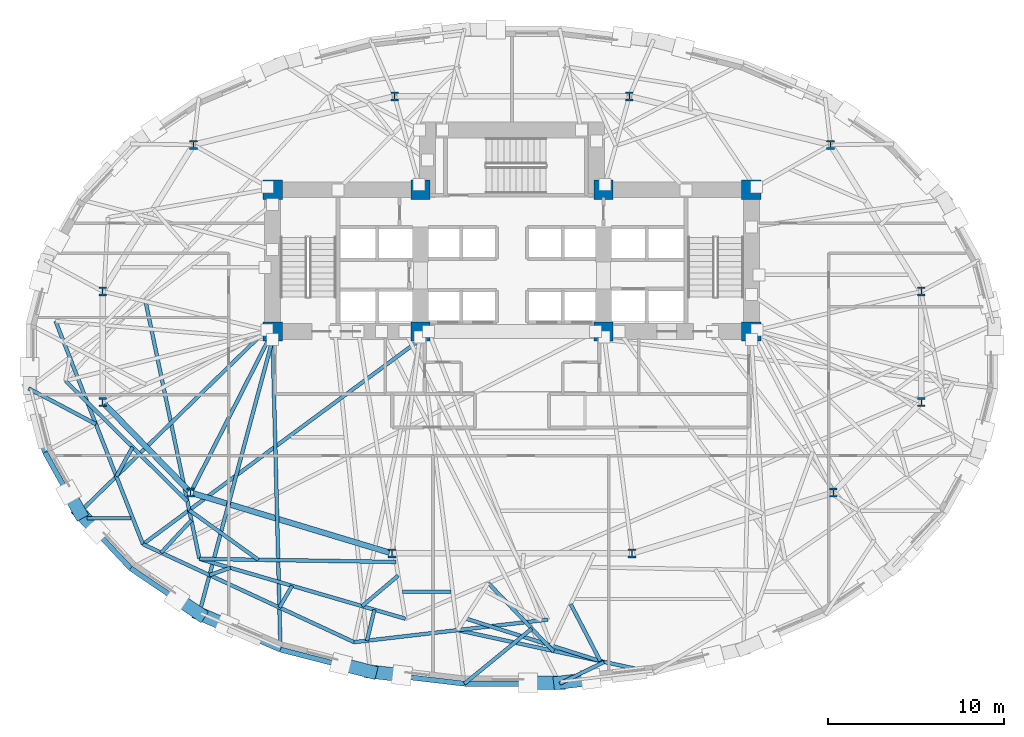
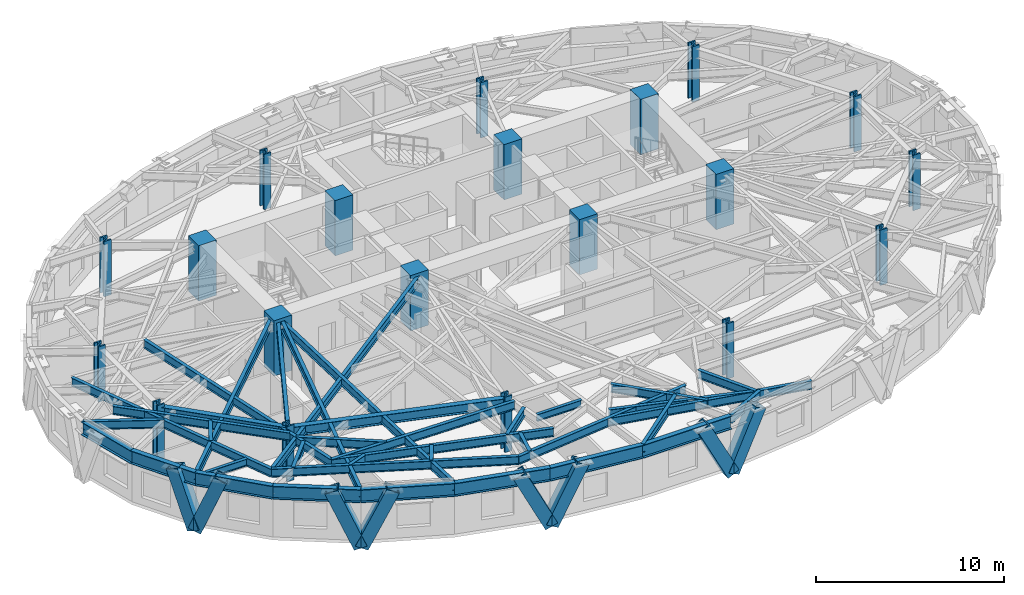
# One storey, part 1 of 14: 38 beams, 20 columns, 8 members.
"""IFC4 building model written with IfcOpenShell, lengths in metres."""

from ifc_helpers import new_model, si_unit, direction, frame, origin, origin_2d, place, context, subcontext, project, spatial, rectangle, hollow_rectangle, i_section, extrude, material, material_profile, profile_set, type_object, element, save


model = new_model("IFC4")

# Units and contexts
model_context = context("Model", 3, precision=1e-05, world=origin(), true_north=direction((0.0, 1.0)))
body_context = subcontext(model_context, "Body", "Model", "MODEL_VIEW")
ifc_project = project(units=[si_unit("LENGTHUNIT", "METRE"), si_unit("AREAUNIT", "SQUARE_METRE"), si_unit("VOLUMEUNIT", "CUBIC_METRE"), si_unit("PLANEANGLEUNIT", "RADIAN"), si_unit("MASSUNIT", "GRAM", prefix="KILO")], contexts=[model_context])

# Site, building, storey
site_placement = place(None, origin())
site = spatial("IfcSite", under=ifc_project, at=site_placement, CompositionType="ELEMENT")
building_placement = place(site_placement, origin())
building = spatial("IfcBuilding", under=site, at=building_placement, Name="Keldmark Tower", CompositionType="ELEMENT")
storey_placement = place(building_placement, frame((0.0, 0.0, 48.60009765625)))
storey = spatial("IfcBuildingStorey", under=building, at=storey_placement, Name="L12", CompositionType="ELEMENT", Elevation=48.60009765625)

# Columns
ifc_material_1 = material(Name="Concrete C70/85", Category="concrete")
ifc_material_profile_1 = material_profile(ifc_material_1, rectangle(XDim=1.10009765625, YDim=1.10009765625, at=origin_2d()), Name="RC1100X1100")
ifc_profile_set_1 = profile_set([ifc_material_profile_1], Name="Concrete C70/85")
column_type_1 = type_object("IfcColumnType", Name="Core Boundary Column RC1100", PredefinedType="COLUMN", material=ifc_profile_set_1)
for number, where, z_axis, x_axis, name in (
    (1, (-13.60009765625, 1.39990234375, 0.0), (0.0, 0.0, 1.0), (1.0, 0.0, 0.0), "L12 Core Boundary Column CC-W1"),
    (2, (-13.60009765625, 9.449951171875, 0.0), (0.0, 0.0, 1.0), (1.0, 0.0, 0.0), "L12 Core Boundary Column CC-W2"),
    (3, (-5.199951171875, 1.39990234375, 0.0), (0.0, 0.0, 1.0), (1.0, 0.0, 0.0), "L12 Core Boundary Column CC-W3"),
    (4, (-5.199951171875, 9.449951171875, 0.0), (0.0, 0.0, 1.0), (1.0, 0.0, 0.0), "L12 Core Boundary Column CC-W4"),
    (5, (5.199951171875, 1.39990234375, 0.0), (0.0, 0.0, 1.0), (1.0, 0.0, 0.0), "L12 Core Boundary Column CC-E1"),
    (6, (5.199951171875, 9.449951171875, 0.0), (0.0, 0.0, 1.0), (1.0, 0.0, 0.0), "L12 Core Boundary Column CC-E2"),
    (7, (13.60009765625, 1.39990234375, 0.0), (0.0, 0.0, 1.0), (1.0, 0.0, 0.0), "L12 Core Boundary Column CC-E3"),
    (8, (13.60009765625, 9.449951171875, 0.0), (0.0, 0.0, 1.0), (1.0, 0.0, 0.0), "L12 Core Boundary Column CC-E4"),
):
    element("IfcColumn", number, at=place(storey_placement, frame(where, z_axis=z_axis, x_axis=x_axis)), inside=storey, type_object=column_type_1, Name=name, PredefinedType="COLUMN", context=body_context, shape_type="SweptSolid", body=[
        extrude(rectangle(XDim=1.10009765625, YDim=1.10009765625, at=origin_2d()), origin(), (0.0, 0.0, 1.0), 3.599853515625),
    ])
ifc_material_2 = material(Name="Steel ASTM A992 Grade 50", Category="steel")
ifc_material_profile_2 = material_profile(ifc_material_2, i_section(OverallWidth=0.43701171875, OverallDepth=0.513916015625, WebThickness=0.060546875, FlangeThickness=0.096923828125, at=origin_2d()), Name="W14X550")
ifc_profile_set_2 = profile_set([ifc_material_profile_2], Name="Steel ASTM A992 Grade 50")
column_type_2 = type_object("IfcColumnType", Name="Tower Gravity Column W14X550", PredefinedType="COLUMN", material=ifc_profile_set_2)
for number, where, z_axis, x_axis, name in (
    (9, (23.25390625, 3.67724609375, 0.0), (0.0, 0.0, 1.0), (1.0, 0.0, 0.0), "L12 Tower Gravity Column TC-E1"),
    (10, (18.09765625, 12.00732421875, 0.0), (0.0, 0.0, 1.0), (1.0, 0.0, 0.0), "L12 Tower Gravity Column TC-E4"),
    (11, (6.6650390625, 14.760009765625, 0.0), (0.0, 0.0, 1.0), (1.0, 0.0, 0.0), "L12 Tower Gravity Column TC-N2"),
    (12, (-6.6650390625, 14.760009765625, 0.0), (0.0, 0.0, 1.0), (1.0, 0.0, 0.0), "L12 Tower Gravity Column TC-N1"),
    (13, (-18.09765625, 12.00732421875, 0.0), (0.0, 0.0, 1.0), (1.0, 0.0, 0.0), "L12 Tower Gravity Column TC-W4"),
    (14, (-23.25390625, 3.67724609375, 0.0), (0.0, 0.0, 1.0), (1.0, 0.0, 0.0), "L12 Tower Gravity Column TC-W1"),
    (15, (-23.25390625, -2.61328125, 0.0), (0.0, 0.0, 1.0), (1.0, 0.0, 0.0), "L12 Tower Gravity Column TC-W5"),
    (16, (-18.252685546875, -7.755615234375, 0.0), (0.0, 0.0, 1.0), (1.0, 0.0, 0.0), "L12 Tower Gravity Column TC-W2"),
    (17, (-6.822021484375, -11.205810546875, 0.0), (0.0, 0.0, 1.0), (1.0, 0.0, 0.0), "L12 Tower Gravity Column TC-W3"),
    (18, (6.822021484375, -11.205810546875, 0.0), (0.0, 0.0, 1.0), (1.0, 0.0, 0.0), "L12 Tower Gravity Column TC-E3"),
    (19, (18.252685546875, -7.755615234375, 0.0), (0.0, 0.0, 1.0), (1.0, 0.0, 0.0), "L12 Tower Gravity Column TC-E2"),
    (20, (23.25390625, -2.61328125, 0.0), (0.0, 0.0, 1.0), (1.0, 0.0, 0.0), "L12 Tower Gravity Column TC-E5"),
):
    element("IfcColumn", number, at=place(storey_placement, frame(where, z_axis=z_axis, x_axis=x_axis)), inside=storey, type_object=column_type_2, Name=name, PredefinedType="COLUMN", context=body_context, shape_type="SweptSolid", body=[
        extrude(i_section(OverallWidth=0.43701171875, OverallDepth=0.513916015625, WebThickness=0.060546875, FlangeThickness=0.096923828125, at=origin_2d()), origin(), (0.0, 0.0, 1.0), 3.599853515625),
    ])

# Beams
ifc_material_3 = material(Name="Steel ASTM A992 Grade 50", Category="steel")
ifc_material_profile_3 = material_profile(ifc_material_3, i_section(OverallWidth=0.19091796875, OverallDepth=0.45703125, WebThickness=0.009033203125, FlangeThickness=0.014404296875, at=origin_2d()), Name="W18X50")
ifc_profile_set_3 = profile_set([ifc_material_profile_3], Name="Steel ASTM A992 Grade 50")
beam_type_1 = type_object("IfcBeamType", Name="Composite Floor Joist W18X50", PredefinedType="JOIST", material=ifc_profile_set_3)
beam_1_placement = place(storey_placement, frame((-6.2177734375, -13.3798828125, 3.17138671875), z_axis=(1.0, 0.0, 0.0), x_axis=(0.0, 1.0, 0.0)))
element("IfcBeam", 21, at=beam_1_placement, inside=storey, type_object=beam_type_1, Name="L12 Composite Floor Joist J01", PredefinedType="JOIST", context=body_context, shape_type="SweptSolid", body=[
    extrude(i_section(OverallWidth=0.19091796875, OverallDepth=0.45703125, WebThickness=0.009033203125, FlangeThickness=0.014404296875, at=origin_2d()), origin(), (0.0, 0.0, 1.0), 2.74853515625),
])
beam_2_placement = place(storey_placement, frame((-24.150390625, -9.199951171875, 3.17138671875), z_axis=(1.0, 0.0, 0.0), x_axis=(0.0, 1.0, 0.0)))
element("IfcBeam", 22, at=beam_2_placement, inside=storey, type_object=beam_type_1, Name="L12 Composite Floor Joist J04", PredefinedType="JOIST", context=body_context, shape_type="SweptSolid", body=[
    extrude(i_section(OverallWidth=0.19091796875, OverallDepth=0.45703125, WebThickness=0.009033203125, FlangeThickness=0.014404296875, at=origin_2d()), origin(), (0.0, 0.0, 1.0), 2.499755859375),
])

# Members
ifc_material_4 = material(Name="Steel ASTM A572 Grade 50", Category="steel")
ifc_material_profile_4 = material_profile(ifc_material_4, hollow_rectangle(XDim=0.75, YDim=0.75, WallThickness=0.06494140625, at=origin_2d()), Name="BOX750X750X65")
ifc_profile_set_4 = profile_set([ifc_material_profile_4], Name="Steel ASTM A572 Grade 50")
member_type = type_object("IfcMemberType", Name="Diagrid Lower Brace BOX750X750X65", PredefinedType="BRACE", material=ifc_profile_set_4)
member_1_placement = place(storey_placement, frame((-24.551025390625, -8.8955078125, -0.280029296875), z_axis=(-0.169441419499, 0.303579863929, 0.937618723989), x_axis=(-0.873195871477, -0.487369438963, 0.0)))
element("IfcMember", 23, at=member_1_placement, inside=storey, type_object=member_type, Name="L12 Perimeter Diagrid Brace 09B", PredefinedType="BRACE", context=body_context, shape_type="SweptSolid", body=[
    extrude(hollow_rectangle(XDim=0.75, YDim=0.75, WallThickness=0.06494140625, at=origin_2d()), origin(), (0.0, 0.0, 1.0), 3.796630859375),
])
member_2_placement = place(storey_placement, frame((-24.555419921875, -8.884521484375, -0.280029296875), z_axis=(0.254998160152, -0.272748780582, 0.927676689914), x_axis=(0.730477044088, 0.682937250456, 0.0)))
element("IfcMember", 24, at=member_2_placement, inside=storey, type_object=member_type, Name="L12 Perimeter Diagrid Brace 10A", PredefinedType="BRACE", context=body_context, shape_type="SweptSolid", body=[
    extrude(hollow_rectangle(XDim=0.75, YDim=0.75, WallThickness=0.06494140625, at=origin_2d()), origin(), (0.0, 0.0, 1.0), 3.83740234375),
])
member_3_placement = place(storey_placement, frame((-17.739990234375, -14.647705078125, -0.280029296875), z_axis=(-0.333131129955, 0.225770739411, 0.915451376907), x_axis=(-0.561020614618, -0.827801830134, 0.0)))
element("IfcMember", 25, at=member_3_placement, inside=storey, type_object=member_type, Name="L12 Perimeter Diagrid Brace 10B", PredefinedType="BRACE", context=body_context, shape_type="SweptSolid", body=[
    extrude(hollow_rectangle(XDim=0.75, YDim=0.75, WallThickness=0.06494140625, at=origin_2d()), origin(), (0.0, 0.0, 1.0), 3.888671875),
])
member_4_placement = place(storey_placement, frame((-17.748291015625, -14.639404296875, -0.280029296875), z_axis=(0.392269019797, -0.168443107948, 0.904296375915), x_axis=(0.394567930175, 0.918866774063, 0.0)))
element("IfcMember", 26, at=member_4_placement, inside=storey, type_object=member_type, Name="L12 Perimeter Diagrid Brace 11A", PredefinedType="BRACE", context=body_context, shape_type="SweptSolid", body=[
    extrude(hollow_rectangle(XDim=0.75, YDim=0.75, WallThickness=0.06494140625, at=origin_2d()), origin(), (0.0, 0.0, 1.0), 3.9365234375),
])
member_5_placement = place(storey_placement, frame((-8.02197265625, -17.9296875, -0.280029296875), z_axis=(-0.428520757297, 0.109790376313, 0.896836681807), x_axis=(-0.248191356425, -0.96871102533, 0.0)))
element("IfcMember", 27, at=member_5_placement, inside=storey, type_object=member_type, Name="L12 Perimeter Diagrid Brace 11B", PredefinedType="BRACE", context=body_context, shape_type="SweptSolid", body=[
    extrude(hollow_rectangle(XDim=0.75, YDim=0.75, WallThickness=0.06494140625, at=origin_2d()), origin(), (0.0, 0.0, 1.0), 3.96923828125),
])
member_6_placement = place(storey_placement, frame((-8.032958984375, -17.92529296875, -0.280029296875), z_axis=(0.446963157754, -0.052547874672, 0.893007646371), x_axis=(0.116762289112, 0.993159890371, 0.0)))
element("IfcMember", 28, at=member_6_placement, inside=storey, type_object=member_type, Name="L12 Perimeter Diagrid Brace 12A", PredefinedType="BRACE", context=body_context, shape_type="SweptSolid", body=[
    extrude(hollow_rectangle(XDim=0.75, YDim=0.75, WallThickness=0.06494140625, at=origin_2d()), origin(), (0.0, 0.0, 1.0), 3.986328125),
])
member_7_placement = place(storey_placement, frame((2.711181640625, -18.551513671875, -0.280029296875), z_axis=(-0.451930390939, 0.0, 0.89205320567), x_axis=(0.0, -1.0, 0.0)))
element("IfcMember", 29, at=member_7_placement, inside=storey, type_object=member_type, Name="L12 Perimeter Diagrid Brace 12B", PredefinedType="BRACE", context=body_context, shape_type="SweptSolid", body=[
    extrude(hollow_rectangle(XDim=0.75, YDim=0.75, WallThickness=0.06494140625, at=origin_2d()), origin(), (0.0, 0.0, 1.0), 3.990478515625),
])
member_8_placement = place(storey_placement, frame((2.69921875, -18.551513671875, -0.280029296875), z_axis=(0.446963157754, 0.052547874672, 0.893007646371), x_axis=(-0.116762289112, 0.993159890371, 0.0)))
element("IfcMember", 30, at=member_8_placement, inside=storey, type_object=member_type, Name="L12 Perimeter Diagrid Brace 13A", PredefinedType="BRACE", context=body_context, shape_type="SweptSolid", body=[
    extrude(hollow_rectangle(XDim=0.75, YDim=0.75, WallThickness=0.06494140625, at=origin_2d()), origin(), (0.0, 0.0, 1.0), 3.986328125),
])

# Beams
ifc_material_5 = material(Name="Steel ASTM A992 Grade 50", Category="steel")
ifc_material_profile_5 = material_profile(ifc_material_5, i_section(OverallWidth=0.323974609375, OverallDepth=0.611083984375, WebThickness=0.0126953125, FlangeThickness=0.01904296875, at=origin_2d()), Name="W24X104")
ifc_profile_set_5 = profile_set([ifc_material_profile_5], Name="Steel ASTM A992 Grade 50")
beam_type_2 = type_object("IfcBeamType", Name="Primary Floor Girder W24X104", PredefinedType="BEAM", material=ifc_profile_set_5)
beam_3_placement = place(storey_placement, frame((-23.156494140625, -2.713623046875, 3.094482421875), z_axis=(0.697210382268, -0.716866572563, 0.0), x_axis=(0.716866572563, 0.697210382268, 0.0)))
element("IfcBeam", 31, at=beam_3_placement, inside=storey, type_object=beam_type_2, Name="L12 Floor Ring Girder FG-R07", PredefinedType="BEAM", context=body_context, shape_type="SweptSolid", body=[
    extrude(i_section(OverallWidth=0.323974609375, OverallDepth=0.611083984375, WebThickness=0.0126953125, FlangeThickness=0.01904296875, at=origin_2d()), origin(), (0.0, 0.0, 1.0), 6.893310546875),
])
beam_4_placement = place(storey_placement, frame((-18.118896484375, -7.796142578125, 3.094482421875), z_axis=(0.957346071406, -0.2889437654, 0.0), x_axis=(0.2889437654, 0.957346071406, 0.0)))
element("IfcBeam", 32, at=beam_4_placement, inside=storey, type_object=beam_type_2, Name="L12 Floor Ring Girder FG-R08", PredefinedType="BEAM", context=body_context, shape_type="SweptSolid", body=[
    extrude(i_section(OverallWidth=0.323974609375, OverallDepth=0.611083984375, WebThickness=0.0126953125, FlangeThickness=0.01904296875, at=origin_2d()), origin(), (0.0, 0.0, 1.0), 11.66015625),
])
ifc_material_6 = material(Name="Steel ASTM A992 Grade 50", Category="steel")
ifc_material_profile_6 = material_profile(ifc_material_6, i_section(OverallWidth=0.2099609375, OverallDepth=0.537109375, WebThickness=0.010986328125, FlangeThickness=0.017333984375, at=origin_2d()), Name="W21X68")
ifc_profile_set_6 = profile_set([ifc_material_profile_6], Name="Steel ASTM A992 Grade 50")
beam_type_3 = type_object("IfcBeamType", Name="Radial Tie Girder W21X68", PredefinedType="BEAM", material=ifc_profile_set_6)
beam_5_placement = place(storey_placement, frame((-25.365966796875, -1.396728515625, 3.13134765625), z_axis=(0.710554680152, -0.703641987458, 0.0), x_axis=(0.703641987458, 0.710554680152, 0.0)))
element("IfcBeam", 33, at=beam_5_placement, inside=storey, type_object=beam_type_3, Name="L12 Framing Pin Header PH-006", PredefinedType="BEAM", context=body_context, shape_type="SweptSolid", body=[
    extrude(i_section(OverallWidth=0.2099609375, OverallDepth=0.537109375, WebThickness=0.010986328125, FlangeThickness=0.017333984375, at=origin_2d()), origin(), (0.0, 0.0, 1.0), 9.747802734375),
])
beam_6_placement = place(storey_placement, frame((-20.816162109375, 3.102294921875, 3.13134765625), z_axis=(0.204805979275, -0.978802590338, 0.0), x_axis=(0.978802590338, 0.204805979275, 0.0)))
element("IfcBeam", 34, at=beam_6_placement, inside=storey, type_object=beam_type_3, Name="L12 Sub-Ring Step Girder STP1-M08", PredefinedType="BEAM", context=body_context, shape_type="SweptSolid", body=[
    extrude(i_section(OverallWidth=0.2099609375, OverallDepth=0.537109375, WebThickness=0.010986328125, FlangeThickness=0.017333984375, at=origin_2d()), origin(), (0.0, 0.0, 1.0), 14.9365234375),
])
beam_7_placement = place(storey_placement, frame((-17.757080078125, -11.517578125, 3.13134765625), z_axis=(0.999875069683, -0.015806486835, 0.0), x_axis=(0.015806486835, 0.999875069683, 0.0)))
element("IfcBeam", 35, at=beam_7_placement, inside=storey, type_object=beam_type_3, Name="L12 Framing Pin Header PH-007", PredefinedType="BEAM", context=body_context, shape_type="SweptSolid", body=[
    extrude(i_section(OverallWidth=0.2099609375, OverallDepth=0.537109375, WebThickness=0.010986328125, FlangeThickness=0.017333984375, at=origin_2d()), origin(), (0.0, 0.0, 1.0), 11.167236328125),
])
beam_8_placement = place(storey_placement, frame((-17.757080078125, -11.517578125, 3.13134765625), z_axis=(0.960268785137, -0.27907679999, 0.0), x_axis=(0.27907679999, 0.960268785137, 0.0)))
element("IfcBeam", 36, at=beam_8_placement, inside=storey, type_object=beam_type_3, Name="L12 Perimeter Collector Ring Beam CRG1-M08", PredefinedType="BEAM", context=body_context, shape_type="SweptSolid", body=[
    extrude(i_section(OverallWidth=0.2099609375, OverallDepth=0.537109375, WebThickness=0.010986328125, FlangeThickness=0.017333984375, at=origin_2d()), origin(), (0.0, 0.0, 1.0), 12.177490234375),
])
beam_9_placement = place(storey_placement, frame((-14.4072265625, -11.570556640625, 3.13134765625), z_axis=(-0.812111005772, 0.583502968548, 0.0), x_axis=(-0.583502968548, -0.812111005772, 0.0)))
element("IfcBeam", 37, at=beam_9_placement, inside=storey, type_object=beam_type_3, Name="L12 Framing Pin Header PH-011", PredefinedType="BEAM", context=body_context, shape_type="SweptSolid", body=[
    extrude(i_section(OverallWidth=0.2099609375, OverallDepth=0.537109375, WebThickness=0.010986328125, FlangeThickness=0.017333984375, at=origin_2d()), origin(), (0.0, 0.0, 1.0), 4.8388671875),
])
beam_10_placement = place(storey_placement, frame((-5.199951171875, 0.949951171875, 3.13134765625), z_axis=(-0.804551966945, -0.593882254731, 0.0), x_axis=(0.593882254731, -0.804551966945, 0.0)))
element("IfcBeam", 38, at=beam_10_placement, inside=storey, type_object=beam_type_3, Name="L12 Sub-Ring Step Girder STP2-M08", PredefinedType="BEAM", context=body_context, shape_type="SweptSolid", body=[
    extrude(i_section(OverallWidth=0.2099609375, OverallDepth=0.537109375, WebThickness=0.010986328125, FlangeThickness=0.017333984375, at=origin_2d()), origin(), (0.0, 0.0, 1.0), 19.59423828125),
])
beam_11_placement = place(storey_placement, frame((-6.46435546875, -12.46875, 3.13134765625), z_axis=(-0.764329245395, -0.644826181722, 0.0), x_axis=(0.644826181722, -0.764329245395, 0.0)))
element("IfcBeam", 39, at=beam_11_placement, inside=storey, type_object=beam_type_3, Name="L12 Framing Pin Header PH-012", PredefinedType="BEAM", context=body_context, shape_type="SweptSolid", body=[
    extrude(i_section(OverallWidth=0.2099609375, OverallDepth=0.537109375, WebThickness=0.010986328125, FlangeThickness=0.017333984375, at=origin_2d()), origin(), (0.0, 0.0, 1.0), 2.6884765625),
])
beam_12_placement = place(storey_placement, frame((-25.929931640625, 1.986328125, 3.13134765625), z_axis=(0.364800365892, -0.931085760306, 0.0), x_axis=(0.931085760306, 0.364800365892, 0.0)))
element("IfcBeam", 40, at=beam_12_placement, inside=storey, type_object=beam_type_3, Name="L12 Perimeter Collector Ring Beam CRG2-M07", PredefinedType="BEAM", context=body_context, shape_type="SweptSolid", body=[
    extrude(i_section(OverallWidth=0.2099609375, OverallDepth=0.537109375, WebThickness=0.010986328125, FlangeThickness=0.017333984375, at=origin_2d()), origin(), (0.0, 0.0, 1.0), 13.611083984375),
])
beam_13_placement = place(storey_placement, frame((-20.964599609375, -10.686767578125, 3.13134765625), z_axis=(0.907178634648, -0.420745677147, 0.0), x_axis=(0.420745677147, 0.907178634648, 0.0)))
element("IfcBeam", 41, at=beam_13_placement, inside=storey, type_object=beam_type_3, Name="L12 Perimeter Collector Ring Beam CRG2-M08", PredefinedType="BEAM", context=body_context, shape_type="SweptSolid", body=[
    extrude(i_section(OverallWidth=0.2099609375, OverallDepth=0.537109375, WebThickness=0.010986328125, FlangeThickness=0.017333984375, at=origin_2d()), origin(), (0.0, 0.0, 1.0), 13.22412109375),
])
beam_14_placement = place(storey_placement, frame((-8.968017578125, -16.250732421875, 3.13134765625), z_axis=(0.993286026042, 0.115684357068, 0.0), x_axis=(-0.115684357068, 0.993286026042, 0.0)))
element("IfcBeam", 42, at=beam_14_placement, inside=storey, type_object=beam_type_3, Name="L12 Perimeter Collector Ring Beam CRG2-M09", PredefinedType="BEAM", context=body_context, shape_type="SweptSolid", body=[
    extrude(i_section(OverallWidth=0.2099609375, OverallDepth=0.537109375, WebThickness=0.010986328125, FlangeThickness=0.017333984375, at=origin_2d()), origin(), (0.0, 0.0, 1.0), 11.081787109375),
])
beam_15_placement = place(storey_placement, frame((-27.4658203125, -1.8330078125, 3.13134765625), z_axis=(0.88344089832, -0.46854261191, 0.0), x_axis=(0.46854261191, 0.88344089832, 0.0)))
element("IfcBeam", 43, at=beam_15_placement, inside=storey, type_object=beam_type_3, Name="L12 Framing Pin Header PH-026", PredefinedType="BEAM", context=body_context, shape_type="SweptSolid", body=[
    extrude(i_section(OverallWidth=0.2099609375, OverallDepth=0.537109375, WebThickness=0.010986328125, FlangeThickness=0.017333984375, at=origin_2d()), origin(), (0.0, 0.0, 1.0), 4.332763671875),
])
beam_16_placement = place(storey_placement, frame((-21.556396484375, -5.169189453125, 3.13134765625), z_axis=(-0.484277203672, -0.874914618693, 0.0), x_axis=(0.874914618693, -0.484277203672, 0.0)))
element("IfcBeam", 44, at=beam_16_placement, inside=storey, type_object=beam_type_3, Name="L12 Framing Pin Header PH-027", PredefinedType="BEAM", context=body_context, shape_type="SweptSolid", body=[
    extrude(i_section(OverallWidth=0.2099609375, OverallDepth=0.537109375, WebThickness=0.010986328125, FlangeThickness=0.017333984375, at=origin_2d()), origin(), (0.0, 0.0, 1.0), 1.89794921875),
])
beam_17_placement = place(storey_placement, frame((-14.050048828125, 1.39990234375, 3.13134765625), z_axis=(-0.715378294414, -0.698737358298, 0.0), x_axis=(0.698737358298, -0.715378294414, 0.0)))
element("IfcBeam", 45, at=beam_17_placement, inside=storey, type_object=beam_type_3, Name="L12 Perimeter Radial Tie Girder RT-19", PredefinedType="BEAM", context=body_context, shape_type="SweptSolid", body=[
    extrude(i_section(OverallWidth=0.2099609375, OverallDepth=0.537109375, WebThickness=0.010986328125, FlangeThickness=0.017333984375, at=origin_2d()), origin(), (0.0, 0.0, 1.0), 14.759033203125),
])
beam_18_placement = place(storey_placement, frame((-18.216064453125, -9.32470703125, 3.13134765625), z_axis=(-0.681733860463, -0.731600262096, 0.0), x_axis=(0.731600262096, -0.681733860463, 0.0)))
element("IfcBeam", 46, at=beam_18_placement, inside=storey, type_object=beam_type_3, Name="L12 Framing Pin Header PH-028", PredefinedType="BEAM", context=body_context, shape_type="SweptSolid", body=[
    extrude(i_section(OverallWidth=0.2099609375, OverallDepth=0.537109375, WebThickness=0.010986328125, FlangeThickness=0.017333984375, at=origin_2d()), origin(), (0.0, 0.0, 1.0), 2.5166015625),
])
beam_19_placement = place(storey_placement, frame((-16.003173828125, -12.02734375, 3.13134765625), z_axis=(-0.944183253005, -0.329420680505, 0.0), x_axis=(0.329420680505, -0.944183253005, 0.0)))
element("IfcBeam", 47, at=beam_19_placement, inside=storey, type_object=beam_type_3, Name="L12 Framing Pin Header PH-029", PredefinedType="BEAM", context=body_context, shape_type="SweptSolid", body=[
    extrude(i_section(OverallWidth=0.2099609375, OverallDepth=0.537109375, WebThickness=0.010986328125, FlangeThickness=0.017333984375, at=origin_2d()), origin(), (0.0, 0.0, 1.0), 1.251708984375),
])
beam_20_placement = place(storey_placement, frame((-13.60009765625, 0.949951171875, 3.13134765625), z_axis=(-0.258628523431, -0.96597685628, 0.0), x_axis=(0.96597685628, -0.258628523431, 0.0)))
element("IfcBeam", 48, at=beam_20_placement, inside=storey, type_object=beam_type_3, Name="L12 Perimeter Radial Tie Girder RT-21", PredefinedType="BEAM", context=body_context, shape_type="SweptSolid", body=[
    extrude(i_section(OverallWidth=0.2099609375, OverallDepth=0.537109375, WebThickness=0.010986328125, FlangeThickness=0.017333984375, at=origin_2d()), origin(), (0.0, 0.0, 1.0), 16.1865234375),
])
beam_21_placement = place(storey_placement, frame((-12.4951171875, -13.046875, 3.13134765625), z_axis=(-0.503244034677, -0.864144340699, 0.0), x_axis=(0.864144340699, -0.503244034677, 0.0)))
element("IfcBeam", 49, at=beam_21_placement, inside=storey, type_object=beam_type_3, Name="L12 Framing Pin Header PH-030", PredefinedType="BEAM", context=body_context, shape_type="SweptSolid", body=[
    extrude(i_section(OverallWidth=0.2099609375, OverallDepth=0.537109375, WebThickness=0.010986328125, FlangeThickness=0.017333984375, at=origin_2d()), origin(), (0.0, 0.0, 1.0), 1.4287109375),
])
beam_22_placement = place(storey_placement, frame((-13.60009765625, 0.949951171875, 3.13134765625), z_axis=(0.02534127953, -0.99967885821, 0.0), x_axis=(0.99967885821, 0.02534127953, 0.0)))
element("IfcBeam", 50, at=beam_22_placement, inside=storey, type_object=beam_type_3, Name="L12 Perimeter Radial Tie Girder RT-22", PredefinedType="BEAM", context=body_context, shape_type="SweptSolid", body=[
    extrude(i_section(OverallWidth=0.2099609375, OverallDepth=0.537109375, WebThickness=0.010986328125, FlangeThickness=0.017333984375, at=origin_2d()), origin(), (0.0, 0.0, 1.0), 17.63037109375),
])
beam_23_placement = place(storey_placement, frame((-7.8173828125, -14.40625, 3.13134765625), z_axis=(-0.233031009995, -0.972469304596, 0.0), x_axis=(0.972469304596, -0.233031009995, 0.0)))
element("IfcBeam", 51, at=beam_23_placement, inside=storey, type_object=beam_type_3, Name="L12 Framing Pin Header PH-031", PredefinedType="BEAM", context=body_context, shape_type="SweptSolid", body=[
    extrude(i_section(OverallWidth=0.2099609375, OverallDepth=0.537109375, WebThickness=0.010986328125, FlangeThickness=0.017333984375, at=origin_2d()), origin(), (0.0, 0.0, 1.0), 1.809326171875),
])
beam_24_placement = place(storey_placement, frame((-1.34912109375, -12.88818359375, 3.13134765625), z_axis=(0.690178466372, -0.723639195011, 0.0), x_axis=(0.723639195011, 0.690178466372, 0.0)))
element("IfcBeam", 52, at=beam_24_placement, inside=storey, type_object=beam_type_3, Name="L12 Local Collector Chord RT-25C", PredefinedType="BEAM", context=body_context, shape_type="SweptSolid", body=[
    extrude(i_section(OverallWidth=0.2099609375, OverallDepth=0.537109375, WebThickness=0.010986328125, FlangeThickness=0.017333984375, at=origin_2d()), origin(), (0.0, 0.0, 1.0), 5.39208984375),
])
beam_25_placement = place(storey_placement, frame((-2.705078125, -18.611083984375, 3.13134765625), z_axis=(0.774080458609, 0.63308723222, 0.0), x_axis=(-0.63308723222, 0.774080458609, 0.0)))
element("IfcBeam", 53, at=beam_25_placement, inside=storey, type_object=beam_type_3, Name="L12 Framing Pin Header PH-034", PredefinedType="BEAM", context=body_context, shape_type="SweptSolid", body=[
    extrude(i_section(OverallWidth=0.2099609375, OverallDepth=0.537109375, WebThickness=0.010986328125, FlangeThickness=0.017333984375, at=origin_2d()), origin(), (0.0, 0.0, 1.0), 4.9453125),
])
beam_26_placement = place(storey_placement, frame((-2.657470703125, -14.89697265625, 3.13134765625), z_axis=(0.953420236774, -0.301645242147, 0.0), x_axis=(0.301645242147, 0.953420236774, 0.0)))
element("IfcBeam", 54, at=beam_26_placement, inside=storey, type_object=beam_type_3, Name="L12 Intermediate Radial Step Girder RT-26M", PredefinedType="BEAM", context=body_context, shape_type="SweptSolid", body=[
    extrude(i_section(OverallWidth=0.2099609375, OverallDepth=0.537109375, WebThickness=0.010986328125, FlangeThickness=0.017333984375, at=origin_2d()), origin(), (0.0, 0.0, 1.0), 8.253173828125),
])
beam_27_placement = place(storey_placement, frame((2.705078125, -18.611083984375, 3.13134765625), z_axis=(0.898468766926, 0.439037441296, 0.0), x_axis=(-0.439037441296, 0.898468766926, 0.0)))
element("IfcBeam", 55, at=beam_27_placement, inside=storey, type_object=beam_type_3, Name="L12 Local Collector Chord RT-26C", PredefinedType="BEAM", context=body_context, shape_type="SweptSolid", body=[
    extrude(i_section(OverallWidth=0.2099609375, OverallDepth=0.537109375, WebThickness=0.010986328125, FlangeThickness=0.017333984375, at=origin_2d()), origin(), (0.0, 0.0, 1.0), 2.789306640625),
])
beam_28_placement = place(storey_placement, frame((3.33544921875, -14.087646484375, 3.13134765625), z_axis=(0.461051419369, -0.887373421226, 0.0), x_axis=(0.887373421226, 0.461051419369, 0.0)))
element("IfcBeam", 56, at=beam_28_placement, inside=storey, type_object=beam_type_3, Name="L12 Framing Pin Header PH-036", PredefinedType="BEAM", context=body_context, shape_type="SweptSolid", body=[
    extrude(i_section(OverallWidth=0.2099609375, OverallDepth=0.537109375, WebThickness=0.010986328125, FlangeThickness=0.017333984375, at=origin_2d()), origin(), (0.0, 0.0, 1.0), 3.6484375),
])
beam_29_placement = place(storey_placement, frame((-3.093505859375, -15.56640625, 3.13134765625), z_axis=(0.977291004222, -0.21190161176, 0.0), x_axis=(0.21190161176, 0.977291004222, 0.0)))
element("IfcBeam", 57, at=beam_29_placement, inside=storey, type_object=beam_type_3, Name="L12 Perimeter Radial Tie Girder RT-26", PredefinedType="BEAM", context=body_context, shape_type="SweptSolid", body=[
    extrude(i_section(OverallWidth=0.2099609375, OverallDepth=0.537109375, WebThickness=0.010986328125, FlangeThickness=0.017333984375, at=origin_2d()), origin(), (0.0, 0.0, 1.0), 11.40283203125),
])
ifc_material_7 = material(Name="Steel ASTM A992 Grade 50", Category="steel")
ifc_material_profile_7 = material_profile(ifc_material_7, i_section(OverallWidth=0.214111328125, OverallDepth=0.549072265625, WebThickness=0.0146484375, FlangeThickness=0.023681640625, at=origin_2d()), Name="W21X93")
ifc_profile_set_7 = profile_set([ifc_material_profile_7], Name="Steel ASTM A992 Grade 50")
beam_type_4 = type_object("IfcBeamType", Name="Radial Tie Girder W21X93", PredefinedType="BEAM", material=ifc_profile_set_7)
beam_30_placement = place(storey_placement, frame((-18.189453125, -7.630859375, 3.12548828125), z_axis=(0.453037526986, 0.891491446478, 0.0), x_axis=(-0.891491446478, 0.453037526986, 0.0)))
element("IfcBeam", 58, at=beam_30_placement, inside=storey, type_object=beam_type_4, Name="L12 Floor Radial Girder FG-C08", PredefinedType="BEAM", context=body_context, shape_type="SweptSolid", body=[
    extrude(i_section(OverallWidth=0.214111328125, OverallDepth=0.549072265625, WebThickness=0.0146484375, FlangeThickness=0.023681640625, at=origin_2d()), origin(), (0.0, 0.0, 1.0), 9.81005859375),
])
ifc_material_8 = material(Name="Steel ASTM A992 Grade 50", Category="steel")
ifc_material_profile_8 = material_profile(ifc_material_8, i_section(OverallWidth=0.2919921875, OverallDepth=0.85888671875, WebThickness=0.01708984375, FlangeThickness=0.031005859375, at=origin_2d()), Name="W33X169")
ifc_profile_set_8 = profile_set([ifc_material_profile_8], Name="Steel ASTM A992 Grade 50")
beam_type_5 = type_object("IfcBeamType", Name="Spandrel Ring Beam W33X169", PredefinedType="SPANDREL", material=ifc_profile_set_8)
beam_31_placement = place(storey_placement, frame((-27.4658203125, -1.8330078125, 2.970458984375), z_axis=(0.248062710061, -0.968743976434, 0.0), x_axis=(0.968743976434, 0.248062710061, 0.0)))
element("IfcBeam", 59, at=beam_31_placement, inside=storey, type_object=beam_type_5, Name="L12 Perimeter Spandrel Ring Beam SRB-17", PredefinedType="SPANDREL", context=body_context, shape_type="SweptSolid", body=[
    extrude(i_section(OverallWidth=0.2919921875, OverallDepth=0.85888671875, WebThickness=0.01708984375, FlangeThickness=0.031005859375, at=origin_2d()), origin(), (0.0, 0.0, 1.0), 3.739013671875),
])
beam_32_placement = place(storey_placement, frame((-26.538330078125, -5.455078125, 2.970458984375), z_axis=(0.487369438963, -0.873195871477, 0.0), x_axis=(0.873195871477, 0.487369438963, 0.0)))
element("IfcBeam", 60, at=beam_32_placement, inside=storey, type_object=beam_type_5, Name="L12 Perimeter Spandrel Ring Beam SRB-18", PredefinedType="SPANDREL", context=body_context, shape_type="SweptSolid", body=[
    extrude(i_section(OverallWidth=0.2919921875, OverallDepth=0.85888671875, WebThickness=0.01708984375, FlangeThickness=0.031005859375, at=origin_2d()), origin(), (0.0, 0.0, 1.0), 3.9599609375),
])
beam_33_placement = place(storey_placement, frame((-24.6083984375, -8.912841796875, 2.970458984375), z_axis=(0.68299392258, -0.730424056093, 0.0), x_axis=(0.730424056093, 0.68299392258, 0.0)))
element("IfcBeam", 61, at=beam_33_placement, inside=storey, type_object=beam_type_5, Name="L12 Perimeter Spandrel Ring Beam SRB-19", PredefinedType="SPANDREL", context=body_context, shape_type="SweptSolid", body=[
    extrude(i_section(OverallWidth=0.2919921875, OverallDepth=0.85888671875, WebThickness=0.01708984375, FlangeThickness=0.031005859375, at=origin_2d()), origin(), (0.0, 0.0, 1.0), 4.298095703125),
])
beam_34_placement = place(storey_placement, frame((-21.6728515625, -12.05224609375, 2.970458984375), z_axis=(0.827842346852, -0.560960826402, 0.0), x_axis=(0.560960826402, 0.827842346852, 0.0)))
element("IfcBeam", 62, at=beam_34_placement, inside=storey, type_object=beam_type_5, Name="L12 Perimeter Spandrel Ring Beam SRB-20", PredefinedType="SPANDREL", context=body_context, shape_type="SweptSolid", body=[
    extrude(i_section(OverallWidth=0.2919921875, OverallDepth=0.85888671875, WebThickness=0.01708984375, FlangeThickness=0.031005859375, at=origin_2d()), origin(), (0.0, 0.0, 1.0), 4.69482421875),
])
beam_35_placement = place(storey_placement, frame((-17.786376953125, -14.685791015625, 2.970458984375), z_axis=(0.91889940345, -0.394491934442, 0.0), x_axis=(0.394491934442, 0.91889940345, 0.0)))
element("IfcBeam", 63, at=beam_35_placement, inside=storey, type_object=beam_type_5, Name="L12 Perimeter Spandrel Ring Beam SRB-21", PredefinedType="SPANDREL", context=body_context, shape_type="SweptSolid", body=[
    extrude(i_section(OverallWidth=0.2919921875, OverallDepth=0.85888671875, WebThickness=0.01708984375, FlangeThickness=0.031005859375, at=origin_2d()), origin(), (0.0, 0.0, 1.0), 5.0419921875),
])
beam_36_placement = place(storey_placement, frame((-13.1533203125, -16.6748046875, 2.970458984375), z_axis=(0.968691592339, -0.248267192621, 0.0), x_axis=(0.248267192621, 0.968691592339, 0.0)))
element("IfcBeam", 64, at=beam_36_placement, inside=storey, type_object=beam_type_5, Name="L12 Perimeter Spandrel Ring Beam SRB-22", PredefinedType="SPANDREL", context=body_context, shape_type="SweptSolid", body=[
    extrude(i_section(OverallWidth=0.2919921875, OverallDepth=0.85888671875, WebThickness=0.01708984375, FlangeThickness=0.031005859375, at=origin_2d()), origin(), (0.0, 0.0, 1.0), 5.26806640625),
])
beam_37_placement = place(storey_placement, frame((-8.05029296875, -17.982666015625, 2.970458984375), z_axis=(0.993159890371, -0.116762289112, 0.0), x_axis=(0.116762289112, 0.993159890371, 0.0)))
element("IfcBeam", 65, at=beam_37_placement, inside=storey, type_object=beam_type_5, Name="L12 Perimeter Spandrel Ring Beam SRB-23", PredefinedType="SPANDREL", context=body_context, shape_type="SweptSolid", body=[
    extrude(i_section(OverallWidth=0.2919921875, OverallDepth=0.85888671875, WebThickness=0.01708984375, FlangeThickness=0.031005859375, at=origin_2d()), origin(), (0.0, 0.0, 1.0), 5.382080078125),
])
beam_38_placement = place(storey_placement, frame((-2.705078125, -18.611083984375, 2.970458984375), z_axis=(1.0, 0.0, 0.0), x_axis=(0.0, 1.0, 0.0)))
element("IfcBeam", 66, at=beam_38_placement, inside=storey, type_object=beam_type_5, Name="L12 Perimeter Spandrel Ring Beam SRB-24", PredefinedType="SPANDREL", context=body_context, shape_type="SweptSolid", body=[
    extrude(i_section(OverallWidth=0.2919921875, OverallDepth=0.85888671875, WebThickness=0.01708984375, FlangeThickness=0.031005859375, at=origin_2d()), origin(), (0.0, 0.0, 1.0), 5.41015625),
])

save(model, "model.ifc")
